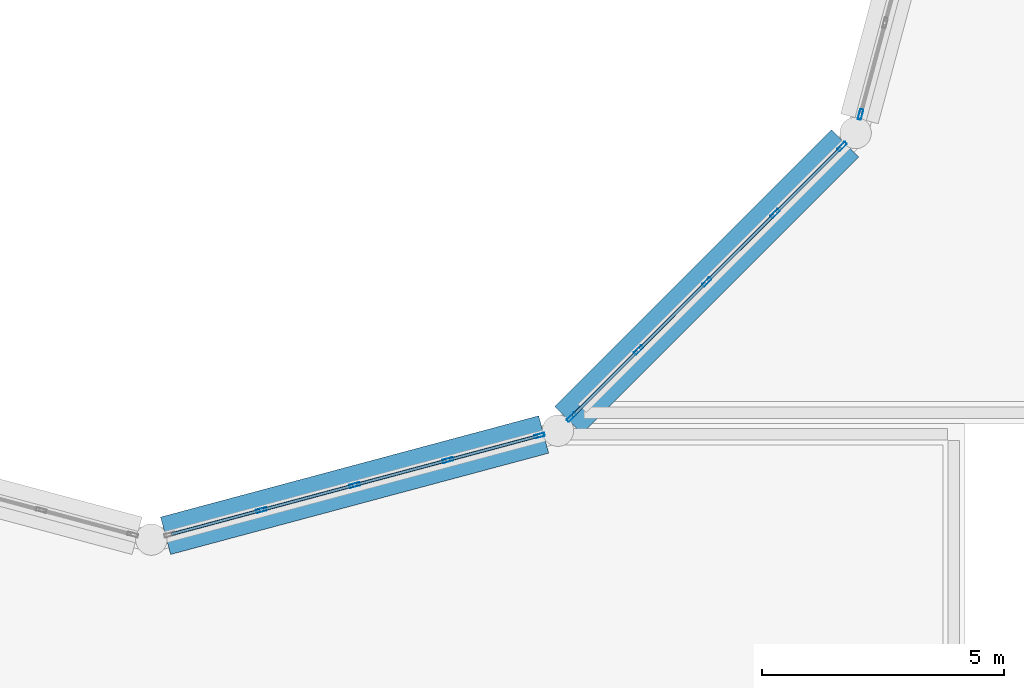
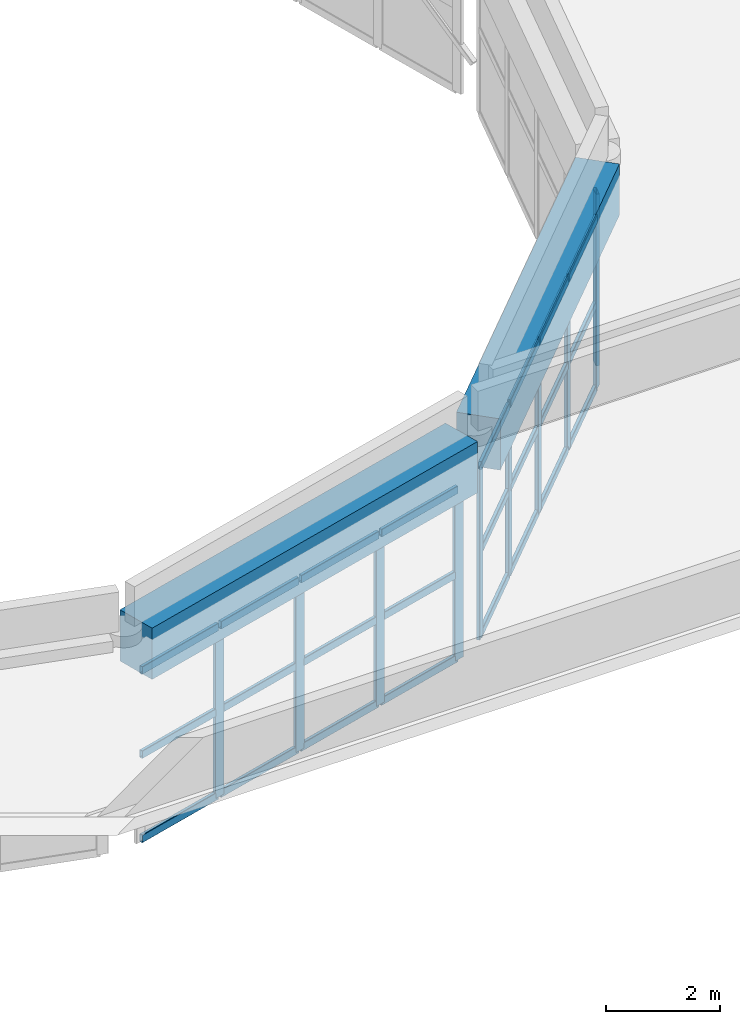
# One storey, part 19 of 48: 34 members, 2 beams, 3 elements without a shape of their own.
"""IFC4 building model written with IfcOpenShell, lengths in metres."""

from ifc_helpers import new_model, si_unit, derived_unit, direction, frame, origin, origin_2d, place, context, subcontext, project, spatial, rectangle, hollow_rectangle, extrude, material, material_profile, profile_set, type_object, element, aggregate, save


model = new_model("IFC4")

# Units and contexts
model_context = context("Model", 3, precision=1e-05, world=origin(), true_north=direction((0.0, 1.0)))
body_context = subcontext(model_context, "Body", "Model", "MODEL_VIEW")
ifc_project = project(units=[si_unit("LENGTHUNIT", "METRE"), si_unit("AREAUNIT", "SQUARE_METRE"), si_unit("VOLUMEUNIT", "CUBIC_METRE"), si_unit("PLANEANGLEUNIT", "RADIAN"), si_unit("MASSUNIT", "GRAM", prefix="KILO"), derived_unit("THERMALTRANSMITTANCEUNIT", [(si_unit("POWERUNIT", "WATT"), 1), (si_unit("LENGTHUNIT", "METRE"), -2), (si_unit("THERMODYNAMICTEMPERATUREUNIT", "KELVIN"), -1)])], contexts=[model_context])

# Site, building, storey
site_placement = place(None, origin())
site = spatial("IfcSite", under=ifc_project, at=site_placement, CompositionType="ELEMENT")
building_placement = place(site_placement, origin())
building = spatial("IfcBuilding", under=site, at=building_placement, Name="Veybourne Emporium", CompositionType="ELEMENT")
storey_placement = place(building_placement, frame((0.0, 0.0, 27.89990234375)))
storey = spatial("IfcBuildingStorey", under=building, at=storey_placement, Name="L06", CompositionType="ELEMENT", Elevation=27.89990234375)

# Curtain wall, members
ifc_material_1 = material(Name="Patinated Architectural Bronze", Category="bronze")
curtain_wall_type_1 = type_object("IfcCurtainWallType", Name="CWSystem_CWS-22", PredefinedType="NOTDEFINED", material=ifc_material_1)
curtain_wall_1_placement = place(storey_placement, origin())
curtain_wall_1 = element("IfcCurtainWall", 1, at=curtain_wall_1_placement, inside=storey, type_object=curtain_wall_type_1, Name="Atrium drum clerestory curtain wall 10", PredefinedType="NOTDEFINED")
ifc_material_profile_1 = material_profile(ifc_material_1, hollow_rectangle(XDim=0.070068359375, YDim=0.219970703125, WallThickness=0.0048828125, InnerFilletRadius=0.007568359375, OuterFilletRadius=0.012451171875, at=origin_2d()), Name="CWM 70x220x5")
ifc_profile_set_1 = profile_set([ifc_material_profile_1], Name="Patinated Architectural Bronze")
member_type_1 = type_object("IfcMemberType", Name="CWMullion_CW-M4", PredefinedType="MULLION", material=ifc_profile_set_1)
member_1_placement = place(storey_placement, frame((77.873779296875, 34.209228515625, -4.5), z_axis=(0.0, 0.0, 1.0), x_axis=(-0.258819598266, 0.965925678069, 0.0)))
member_1 = element("IfcMember", 2, at=member_1_placement, type_object=member_type_1, Name="CWS-22 mullion 2", PredefinedType="MULLION", context=body_context, shape_type="SweptSolid", body=[
    extrude(hollow_rectangle(XDim=0.070068359375, YDim=0.219970703125, WallThickness=0.0048828125, InnerFilletRadius=0.007568359375, OuterFilletRadius=0.012451171875, at=origin_2d()), origin(), (0.0, 0.0, 1.0), 3.68017578125),
])
member_2_placement = place(storey_placement, frame((79.800048828125, 34.725341796875, -4.5), z_axis=(0.0, 0.0, 1.0), x_axis=(-0.258819598266, 0.965925678069, 0.0)))
member_2 = element("IfcMember", 3, at=member_2_placement, type_object=member_type_1, Name="CWS-22 mullion 3", PredefinedType="MULLION", context=body_context, shape_type="SweptSolid", body=[
    extrude(hollow_rectangle(XDim=0.070068359375, YDim=0.219970703125, WallThickness=0.0048828125, InnerFilletRadius=0.007568359375, OuterFilletRadius=0.012451171875, at=origin_2d()), origin(), (0.0, 0.0, 1.0), 3.68017578125),
])
member_3_placement = place(storey_placement, frame((81.72607421875, 35.241455078125, -4.5), z_axis=(0.0, 0.0, 1.0), x_axis=(-0.258819598266, 0.965925678069, 0.0)))
member_3 = element("IfcMember", 4, at=member_3_placement, type_object=member_type_1, Name="CWS-22 mullion 4", PredefinedType="MULLION", context=body_context, shape_type="SweptSolid", body=[
    extrude(hollow_rectangle(XDim=0.070068359375, YDim=0.219970703125, WallThickness=0.0048828125, InnerFilletRadius=0.007568359375, OuterFilletRadius=0.012451171875, at=origin_2d()), origin(), (0.0, 0.0, 1.0), 3.68017578125),
])
member_4_placement = place(storey_placement, frame((83.618408203125, 35.74853515625, -4.5), z_axis=(0.0, 0.0, 1.0), x_axis=(-0.258819598266, 0.965925678069, 0.0)))
member_4 = element("IfcMember", 5, at=member_4_placement, type_object=member_type_1, Name="CWS-22 mullion 5", PredefinedType="MULLION", context=body_context, shape_type="SweptSolid", body=[
    extrude(hollow_rectangle(XDim=0.070068359375, YDim=0.219970703125, WallThickness=0.0048828125, InnerFilletRadius=0.007568359375, OuterFilletRadius=0.012451171875, at=origin_2d()), origin(), (0.0, 0.0, 1.0), 3.68017578125),
])

curtain_wall_type_2 = type_object("IfcCurtainWallType", Name="CWSystem_CWS-23", PredefinedType="NOTDEFINED", material=ifc_material_1)
curtain_wall_2_placement = place(storey_placement, origin())
curtain_wall_2 = element("IfcCurtainWall", 6, at=curtain_wall_2_placement, inside=storey, type_object=curtain_wall_type_2, Name="Atrium drum clerestory curtain wall 11", PredefinedType="NOTDEFINED")
member_5_placement = place(storey_placement, frame((84.279296875, 36.130126953125, -4.5), z_axis=(0.0, 0.0, 1.0), x_axis=(-0.707106781187, 0.707106781187, 0.0)))
member_5 = element("IfcMember", 7, at=member_5_placement, type_object=member_type_1, Name="CWS-23 mullion 1", PredefinedType="MULLION", context=body_context, shape_type="SweptSolid", body=[
    extrude(hollow_rectangle(XDim=0.070068359375, YDim=0.219970703125, WallThickness=0.0048828125, InnerFilletRadius=0.007568359375, OuterFilletRadius=0.012451171875, at=origin_2d()), origin(), (0.0, 0.0, 1.0), 3.68017578125),
])
member_6_placement = place(storey_placement, frame((85.66455078125, 37.515380859375, -4.5), z_axis=(0.0, 0.0, 1.0), x_axis=(-0.707106781187, 0.707106781187, 0.0)))
member_6 = element("IfcMember", 8, at=member_6_placement, type_object=member_type_1, Name="CWS-23 mullion 2", PredefinedType="MULLION", context=body_context, shape_type="SweptSolid", body=[
    extrude(hollow_rectangle(XDim=0.070068359375, YDim=0.219970703125, WallThickness=0.0048828125, InnerFilletRadius=0.007568359375, OuterFilletRadius=0.012451171875, at=origin_2d()), origin(), (0.0, 0.0, 1.0), 3.68017578125),
])
member_7_placement = place(storey_placement, frame((87.07470703125, 38.92529296875, -4.5), z_axis=(0.0, 0.0, 1.0), x_axis=(-0.707106781187, 0.707106781187, 0.0)))
member_7 = element("IfcMember", 9, at=member_7_placement, type_object=member_type_1, Name="CWS-23 mullion 3", PredefinedType="MULLION", context=body_context, shape_type="SweptSolid", body=[
    extrude(hollow_rectangle(XDim=0.070068359375, YDim=0.219970703125, WallThickness=0.0048828125, InnerFilletRadius=0.007568359375, OuterFilletRadius=0.012451171875, at=origin_2d()), origin(), (0.0, 0.0, 1.0), 3.68017578125),
])
member_8_placement = place(storey_placement, frame((88.484619140625, 40.33544921875, -4.5), z_axis=(0.0, 0.0, 1.0), x_axis=(-0.707106781187, 0.707106781187, 0.0)))
member_8 = element("IfcMember", 10, at=member_8_placement, type_object=member_type_1, Name="CWS-23 mullion 4", PredefinedType="MULLION", context=body_context, shape_type="SweptSolid", body=[
    extrude(hollow_rectangle(XDim=0.070068359375, YDim=0.219970703125, WallThickness=0.0048828125, InnerFilletRadius=0.007568359375, OuterFilletRadius=0.012451171875, at=origin_2d()), origin(), (0.0, 0.0, 1.0), 3.68017578125),
])
member_9_placement = place(storey_placement, frame((89.869873046875, 41.720703125, -4.5), z_axis=(0.0, 0.0, 1.0), x_axis=(-0.707106781187, 0.707106781187, 0.0)))
member_9 = element("IfcMember", 11, at=member_9_placement, type_object=member_type_1, Name="CWS-23 mullion 5", PredefinedType="MULLION", context=body_context, shape_type="SweptSolid", body=[
    extrude(hollow_rectangle(XDim=0.070068359375, YDim=0.219970703125, WallThickness=0.0048828125, InnerFilletRadius=0.007568359375, OuterFilletRadius=0.012451171875, at=origin_2d()), origin(), (0.0, 0.0, 1.0), 3.68017578125),
])

# Curtain wall, member
curtain_wall_type_3 = type_object("IfcCurtainWallType", Name="CWSystem_CWS-24", PredefinedType="NOTDEFINED", material=ifc_material_1)
curtain_wall_3_placement = place(storey_placement, origin())
curtain_wall_3 = element("IfcCurtainWall", 12, at=curtain_wall_3_placement, inside=storey, type_object=curtain_wall_type_3, Name="Atrium drum clerestory curtain wall 12", PredefinedType="NOTDEFINED")
member_10_placement = place(storey_placement, frame((90.25146484375, 42.381591796875, -4.5), z_axis=(0.0, 0.0, 1.0), x_axis=(-0.965925678069, 0.258819598266, 0.0)))
member_10 = element("IfcMember", 13, at=member_10_placement, type_object=member_type_1, Name="CWS-24 mullion 1", PredefinedType="MULLION", context=body_context, shape_type="SweptSolid", body=[
    extrude(hollow_rectangle(XDim=0.070068359375, YDim=0.219970703125, WallThickness=0.0048828125, InnerFilletRadius=0.007568359375, OuterFilletRadius=0.012451171875, at=origin_2d()), origin(), (0.0, 0.0, 1.0), 3.68017578125),
])
aggregate(curtain_wall_3, [member_10])

# Member
ifc_material_profile_2 = material_profile(ifc_material_1, hollow_rectangle(XDim=0.070068359375, YDim=0.169921875, WallThickness=0.0048828125, InnerFilletRadius=0.007568359375, OuterFilletRadius=0.012451171875, at=origin_2d()), Name="CWT 70x170x5")
ifc_profile_set_2 = profile_set([ifc_material_profile_2], Name="Patinated Architectural Bronze")
member_type_2 = type_object("IfcMemberType", Name="CWTransom_CW-T4", PredefinedType="NOTDEFINED", material=ifc_profile_set_2)
member_11_placement = place(storey_placement, frame((76.015380859375, 33.711181640625, -4.46484375), z_axis=(0.965914590329, 0.258860974636, 0.0), x_axis=(-0.258860974636, 0.965914590329, 0.0)))
member_11 = element("IfcMember", 14, at=member_11_placement, type_object=member_type_2, Name="CWS-22 transom 1.1", ObjectType="TRANSOM", PredefinedType="USERDEFINED", context=body_context, shape_type="SweptSolid", body=[
    extrude(hollow_rectangle(XDim=0.070068359375, YDim=0.169921875, WallThickness=0.0048828125, InnerFilletRadius=0.007568359375, OuterFilletRadius=0.012451171875, at=origin_2d()), origin(), (0.0, 0.0, 1.0), 1.88916015625),
])

member_12_placement = place(storey_placement, frame((76.015380859375, 33.711181640625, -2.659912109375), z_axis=(0.965914590329, 0.258860974636, 0.0), x_axis=(-0.258860974636, 0.965914590329, 0.0)))
member_12 = element("IfcMember", 15, at=member_12_placement, type_object=member_type_2, Name="CWS-22 transom 1.2", ObjectType="TRANSOM", PredefinedType="USERDEFINED", context=body_context, shape_type="SweptSolid", body=[
    extrude(hollow_rectangle(XDim=0.070068359375, YDim=0.169921875, WallThickness=0.0048828125, InnerFilletRadius=0.007568359375, OuterFilletRadius=0.012451171875, at=origin_2d()), origin(), (0.0, 0.0, 1.0), 1.88916015625),
])

member_13_placement = place(storey_placement, frame((76.015380859375, 33.711181640625, -0.85498046875), z_axis=(0.965914590329, 0.258860974636, 0.0), x_axis=(-0.258860974636, 0.965914590329, 0.0)))
member_13 = element("IfcMember", 16, at=member_13_placement, type_object=member_type_2, Name="CWS-22 transom 1.3", ObjectType="TRANSOM", PredefinedType="USERDEFINED", context=body_context, shape_type="SweptSolid", body=[
    extrude(hollow_rectangle(XDim=0.070068359375, YDim=0.169921875, WallThickness=0.0048828125, InnerFilletRadius=0.007568359375, OuterFilletRadius=0.012451171875, at=origin_2d()), origin(), (0.0, 0.0, 1.0), 1.88916015625),
])

member_14_placement = place(storey_placement, frame((77.90771484375, 34.21826171875, -4.46484375), z_axis=(0.96591406393, 0.258862938836, 0.0), x_axis=(-0.258862938836, 0.96591406393, 0.0)))
member_14 = element("IfcMember", 17, at=member_14_placement, type_object=member_type_2, Name="CWS-22 transom 2.1", ObjectType="TRANSOM", PredefinedType="USERDEFINED", context=body_context, shape_type="SweptSolid", body=[
    extrude(hollow_rectangle(XDim=0.070068359375, YDim=0.169921875, WallThickness=0.0048828125, InnerFilletRadius=0.007568359375, OuterFilletRadius=0.012451171875, at=origin_2d()), origin(), (0.0, 0.0, 1.0), 1.924072265625),
])

member_15_placement = place(storey_placement, frame((77.90771484375, 34.21826171875, -2.659912109375), z_axis=(0.96591406393, 0.258862938836, 0.0), x_axis=(-0.258862938836, 0.96591406393, 0.0)))
member_15 = element("IfcMember", 18, at=member_15_placement, type_object=member_type_2, Name="CWS-22 transom 2.2", ObjectType="TRANSOM", PredefinedType="USERDEFINED", context=body_context, shape_type="SweptSolid", body=[
    extrude(hollow_rectangle(XDim=0.070068359375, YDim=0.169921875, WallThickness=0.0048828125, InnerFilletRadius=0.007568359375, OuterFilletRadius=0.012451171875, at=origin_2d()), origin(), (0.0, 0.0, 1.0), 1.924072265625),
])

member_16_placement = place(storey_placement, frame((77.90771484375, 34.21826171875, -0.85498046875), z_axis=(0.96591406393, 0.258862938836, 0.0), x_axis=(-0.258862938836, 0.96591406393, 0.0)))
member_16 = element("IfcMember", 19, at=member_16_placement, type_object=member_type_2, Name="CWS-22 transom 2.3", ObjectType="TRANSOM", PredefinedType="USERDEFINED", context=body_context, shape_type="SweptSolid", body=[
    extrude(hollow_rectangle(XDim=0.070068359375, YDim=0.169921875, WallThickness=0.0048828125, InnerFilletRadius=0.007568359375, OuterFilletRadius=0.012451171875, at=origin_2d()), origin(), (0.0, 0.0, 1.0), 1.924072265625),
])

member_17_placement = place(storey_placement, frame((79.833740234375, 34.734375, -4.46484375), z_axis=(0.965922565509, 0.258831214191, 0.0), x_axis=(-0.258831214191, 0.965922565509, 0.0)))
member_17 = element("IfcMember", 20, at=member_17_placement, type_object=member_type_2, Name="CWS-22 transom 3.1", ObjectType="TRANSOM", PredefinedType="USERDEFINED", context=body_context, shape_type="SweptSolid", body=[
    extrude(hollow_rectangle(XDim=0.070068359375, YDim=0.169921875, WallThickness=0.0048828125, InnerFilletRadius=0.007568359375, OuterFilletRadius=0.012451171875, at=origin_2d()), origin(), (0.0, 0.0, 1.0), 1.92431640625),
])

member_18_placement = place(storey_placement, frame((79.833740234375, 34.734375, -2.659912109375), z_axis=(0.965922565509, 0.258831214191, 0.0), x_axis=(-0.258831214191, 0.965922565509, 0.0)))
member_18 = element("IfcMember", 21, at=member_18_placement, type_object=member_type_2, Name="CWS-22 transom 3.2", ObjectType="TRANSOM", PredefinedType="USERDEFINED", context=body_context, shape_type="SweptSolid", body=[
    extrude(hollow_rectangle(XDim=0.070068359375, YDim=0.169921875, WallThickness=0.0048828125, InnerFilletRadius=0.007568359375, OuterFilletRadius=0.012451171875, at=origin_2d()), origin(), (0.0, 0.0, 1.0), 1.92431640625),
])

member_19_placement = place(storey_placement, frame((79.833740234375, 34.734375, -0.85498046875), z_axis=(0.965922565509, 0.258831214191, 0.0), x_axis=(-0.258831214191, 0.965922565509, 0.0)))
member_19 = element("IfcMember", 22, at=member_19_placement, type_object=member_type_2, Name="CWS-22 transom 3.3", ObjectType="TRANSOM", PredefinedType="USERDEFINED", context=body_context, shape_type="SweptSolid", body=[
    extrude(hollow_rectangle(XDim=0.070068359375, YDim=0.169921875, WallThickness=0.0048828125, InnerFilletRadius=0.007568359375, OuterFilletRadius=0.012451171875, at=origin_2d()), origin(), (0.0, 0.0, 1.0), 1.92431640625),
])

member_20_placement = place(storey_placement, frame((81.760009765625, 35.25048828125, -4.46484375), z_axis=(0.965914590329, 0.258860974636, 0.0), x_axis=(-0.258860974636, 0.965914590329, 0.0)))
member_20 = element("IfcMember", 23, at=member_20_placement, type_object=member_type_2, Name="CWS-22 transom 4.1", ObjectType="TRANSOM", PredefinedType="USERDEFINED", context=body_context, shape_type="SweptSolid", body=[
    extrude(hollow_rectangle(XDim=0.070068359375, YDim=0.169921875, WallThickness=0.0048828125, InnerFilletRadius=0.007568359375, OuterFilletRadius=0.012451171875, at=origin_2d()), origin(), (0.0, 0.0, 1.0), 1.88916015625),
])

member_21_placement = place(storey_placement, frame((81.760009765625, 35.25048828125, -2.659912109375), z_axis=(0.965914590329, 0.258860974636, 0.0), x_axis=(-0.258860974636, 0.965914590329, 0.0)))
member_21 = element("IfcMember", 24, at=member_21_placement, type_object=member_type_2, Name="CWS-22 transom 4.2", ObjectType="TRANSOM", PredefinedType="USERDEFINED", context=body_context, shape_type="SweptSolid", body=[
    extrude(hollow_rectangle(XDim=0.070068359375, YDim=0.169921875, WallThickness=0.0048828125, InnerFilletRadius=0.007568359375, OuterFilletRadius=0.012451171875, at=origin_2d()), origin(), (0.0, 0.0, 1.0), 1.88916015625),
])

member_22_placement = place(storey_placement, frame((81.760009765625, 35.25048828125, -0.85498046875), z_axis=(0.965914590329, 0.258860974636, 0.0), x_axis=(-0.258860974636, 0.965914590329, 0.0)))
member_22 = element("IfcMember", 25, at=member_22_placement, type_object=member_type_2, Name="CWS-22 transom 4.3", ObjectType="TRANSOM", PredefinedType="USERDEFINED", context=body_context, shape_type="SweptSolid", body=[
    extrude(hollow_rectangle(XDim=0.070068359375, YDim=0.169921875, WallThickness=0.0048828125, InnerFilletRadius=0.007568359375, OuterFilletRadius=0.012451171875, at=origin_2d()), origin(), (0.0, 0.0, 1.0), 1.88916015625),
])

aggregate(curtain_wall_1, [member_1, member_2, member_3, member_4, member_11, member_12, member_13, member_14, member_15, member_16, member_17, member_18, member_19, member_20, member_21, member_22])

member_23_placement = place(storey_placement, frame((84.303955078125, 36.15478515625, -4.46484375), z_axis=(0.707106781187, 0.707106781187, 0.0), x_axis=(-0.707106781187, 0.707106781187, 0.0)))
member_23 = element("IfcMember", 26, at=member_23_placement, type_object=member_type_2, Name="CWS-23 transom 1.1", ObjectType="TRANSOM", PredefinedType="USERDEFINED", context=body_context, shape_type="SweptSolid", body=[
    extrude(hollow_rectangle(XDim=0.070068359375, YDim=0.169921875, WallThickness=0.0048828125, InnerFilletRadius=0.007568359375, OuterFilletRadius=0.012451171875, at=origin_2d()), origin(), (0.0, 0.0, 1.0), 1.889404296875),
])

member_24_placement = place(storey_placement, frame((84.303955078125, 36.15478515625, -2.659912109375), z_axis=(0.707106781187, 0.707106781187, 0.0), x_axis=(-0.707106781187, 0.707106781187, 0.0)))
member_24 = element("IfcMember", 27, at=member_24_placement, type_object=member_type_2, Name="CWS-23 transom 1.2", ObjectType="TRANSOM", PredefinedType="USERDEFINED", context=body_context, shape_type="SweptSolid", body=[
    extrude(hollow_rectangle(XDim=0.070068359375, YDim=0.169921875, WallThickness=0.0048828125, InnerFilletRadius=0.007568359375, OuterFilletRadius=0.012451171875, at=origin_2d()), origin(), (0.0, 0.0, 1.0), 1.889404296875),
])

member_25_placement = place(storey_placement, frame((84.303955078125, 36.15478515625, -0.85498046875), z_axis=(0.707106781187, 0.707106781187, 0.0), x_axis=(-0.707106781187, 0.707106781187, 0.0)))
member_25 = element("IfcMember", 28, at=member_25_placement, type_object=member_type_2, Name="CWS-23 transom 1.3", ObjectType="TRANSOM", PredefinedType="USERDEFINED", context=body_context, shape_type="SweptSolid", body=[
    extrude(hollow_rectangle(XDim=0.070068359375, YDim=0.169921875, WallThickness=0.0048828125, InnerFilletRadius=0.007568359375, OuterFilletRadius=0.012451171875, at=origin_2d()), origin(), (0.0, 0.0, 1.0), 1.889404296875),
])

member_26_placement = place(storey_placement, frame((85.689453125, 37.5400390625, -4.46484375), z_axis=(0.707043332241, 0.70717022444, 0.0), x_axis=(-0.70717022444, 0.707043332241, 0.0)))
member_26 = element("IfcMember", 29, at=member_26_placement, type_object=member_type_2, Name="CWS-23 transom 2.1", ObjectType="TRANSOM", PredefinedType="USERDEFINED", context=body_context, shape_type="SweptSolid", body=[
    extrude(hollow_rectangle(XDim=0.070068359375, YDim=0.169921875, WallThickness=0.0048828125, InnerFilletRadius=0.007568359375, OuterFilletRadius=0.012451171875, at=origin_2d()), origin(), (0.0, 0.0, 1.0), 1.924072265625),
])

member_27_placement = place(storey_placement, frame((85.689453125, 37.5400390625, -2.659912109375), z_axis=(0.707043332241, 0.70717022444, 0.0), x_axis=(-0.70717022444, 0.707043332241, 0.0)))
member_27 = element("IfcMember", 30, at=member_27_placement, type_object=member_type_2, Name="CWS-23 transom 2.2", ObjectType="TRANSOM", PredefinedType="USERDEFINED", context=body_context, shape_type="SweptSolid", body=[
    extrude(hollow_rectangle(XDim=0.070068359375, YDim=0.169921875, WallThickness=0.0048828125, InnerFilletRadius=0.007568359375, OuterFilletRadius=0.012451171875, at=origin_2d()), origin(), (0.0, 0.0, 1.0), 1.924072265625),
])

member_28_placement = place(storey_placement, frame((85.689453125, 37.5400390625, -0.85498046875), z_axis=(0.707043332241, 0.70717022444, 0.0), x_axis=(-0.70717022444, 0.707043332241, 0.0)))
member_28 = element("IfcMember", 31, at=member_28_placement, type_object=member_type_2, Name="CWS-23 transom 2.3", ObjectType="TRANSOM", PredefinedType="USERDEFINED", context=body_context, shape_type="SweptSolid", body=[
    extrude(hollow_rectangle(XDim=0.070068359375, YDim=0.169921875, WallThickness=0.0048828125, InnerFilletRadius=0.007568359375, OuterFilletRadius=0.012451171875, at=origin_2d()), origin(), (0.0, 0.0, 1.0), 1.924072265625),
])

member_29_placement = place(storey_placement, frame((87.099365234375, 38.9501953125, -4.46484375), z_axis=(0.70717022444, 0.707043332241, 0.0), x_axis=(-0.707043332241, 0.70717022444, 0.0)))
member_29 = element("IfcMember", 32, at=member_29_placement, type_object=member_type_2, Name="CWS-23 transom 3.1", ObjectType="TRANSOM", PredefinedType="USERDEFINED", context=body_context, shape_type="SweptSolid", body=[
    extrude(hollow_rectangle(XDim=0.070068359375, YDim=0.169921875, WallThickness=0.0048828125, InnerFilletRadius=0.007568359375, OuterFilletRadius=0.012451171875, at=origin_2d()), origin(), (0.0, 0.0, 1.0), 1.924072265625),
])

member_30_placement = place(storey_placement, frame((87.099365234375, 38.9501953125, -2.659912109375), z_axis=(0.70717022444, 0.707043332241, 0.0), x_axis=(-0.707043332241, 0.70717022444, 0.0)))
member_30 = element("IfcMember", 33, at=member_30_placement, type_object=member_type_2, Name="CWS-23 transom 3.2", ObjectType="TRANSOM", PredefinedType="USERDEFINED", context=body_context, shape_type="SweptSolid", body=[
    extrude(hollow_rectangle(XDim=0.070068359375, YDim=0.169921875, WallThickness=0.0048828125, InnerFilletRadius=0.007568359375, OuterFilletRadius=0.012451171875, at=origin_2d()), origin(), (0.0, 0.0, 1.0), 1.924072265625),
])

member_31_placement = place(storey_placement, frame((87.099365234375, 38.9501953125, -0.85498046875), z_axis=(0.70717022444, 0.707043332241, 0.0), x_axis=(-0.707043332241, 0.70717022444, 0.0)))
member_31 = element("IfcMember", 34, at=member_31_placement, type_object=member_type_2, Name="CWS-23 transom 3.3", ObjectType="TRANSOM", PredefinedType="USERDEFINED", context=body_context, shape_type="SweptSolid", body=[
    extrude(hollow_rectangle(XDim=0.070068359375, YDim=0.169921875, WallThickness=0.0048828125, InnerFilletRadius=0.007568359375, OuterFilletRadius=0.012451171875, at=origin_2d()), origin(), (0.0, 0.0, 1.0), 1.924072265625),
])

member_32_placement = place(storey_placement, frame((88.50927734375, 40.360107421875, -4.46484375), z_axis=(0.707106781187, 0.707106781187, 0.0), x_axis=(-0.707106781187, 0.707106781187, 0.0)))
member_32 = element("IfcMember", 35, at=member_32_placement, type_object=member_type_2, Name="CWS-23 transom 4.1", ObjectType="TRANSOM", PredefinedType="USERDEFINED", context=body_context, shape_type="SweptSolid", body=[
    extrude(hollow_rectangle(XDim=0.070068359375, YDim=0.169921875, WallThickness=0.0048828125, InnerFilletRadius=0.007568359375, OuterFilletRadius=0.012451171875, at=origin_2d()), origin(), (0.0, 0.0, 1.0), 1.889404296875),
])

member_33_placement = place(storey_placement, frame((88.50927734375, 40.360107421875, -2.659912109375), z_axis=(0.707106781187, 0.707106781187, 0.0), x_axis=(-0.707106781187, 0.707106781187, 0.0)))
member_33 = element("IfcMember", 36, at=member_33_placement, type_object=member_type_2, Name="CWS-23 transom 4.2", ObjectType="TRANSOM", PredefinedType="USERDEFINED", context=body_context, shape_type="SweptSolid", body=[
    extrude(hollow_rectangle(XDim=0.070068359375, YDim=0.169921875, WallThickness=0.0048828125, InnerFilletRadius=0.007568359375, OuterFilletRadius=0.012451171875, at=origin_2d()), origin(), (0.0, 0.0, 1.0), 1.889404296875),
])

member_34_placement = place(storey_placement, frame((88.50927734375, 40.360107421875, -0.85498046875), z_axis=(0.707106781187, 0.707106781187, 0.0), x_axis=(-0.707106781187, 0.707106781187, 0.0)))
member_34 = element("IfcMember", 37, at=member_34_placement, type_object=member_type_2, Name="CWS-23 transom 4.3", ObjectType="TRANSOM", PredefinedType="USERDEFINED", context=body_context, shape_type="SweptSolid", body=[
    extrude(hollow_rectangle(XDim=0.070068359375, YDim=0.169921875, WallThickness=0.0048828125, InnerFilletRadius=0.007568359375, OuterFilletRadius=0.012451171875, at=origin_2d()), origin(), (0.0, 0.0, 1.0), 1.889404296875),
])

aggregate(curtain_wall_2, [member_5, member_6, member_7, member_8, member_9, member_23, member_24, member_25, member_26, member_27, member_28, member_29, member_30, member_31, member_32, member_33, member_34])

# Beams
ifc_material_2 = material(Name="Concrete C40/50", Category="concrete")
ifc_material_profile_3 = material_profile(ifc_material_2, rectangle(XDim=0.800048828125, YDim=1.10009765625, at=origin_2d()), Name="RC 800x1100")
ifc_profile_set_3 = profile_set([ifc_material_profile_3], Name="Concrete C40/50")
beam_type = type_object("IfcBeamType", Name="RCBeam_RB-01", PredefinedType="BEAM", material=ifc_profile_set_3)
beam_1_placement = place(storey_placement, frame((75.89453125, 33.678955078125, -0.25), z_axis=(0.965929588955, 0.258805002235, 0.0), x_axis=(-0.258805002235, 0.965929588955, 0.0)))
element("IfcBeam", 38, at=beam_1_placement, inside=storey, type_object=beam_type, Name="Atrium ring beam RB-01 L06-10", PredefinedType="BEAM", context=body_context, shape_type="SweptSolid", body=[
    extrude(rectangle(XDim=0.800048828125, YDim=1.10009765625, at=origin_2d()), origin(), (0.0, 0.0, 1.0), 8.086181640625),
])
beam_2_placement = place(storey_placement, frame((84.215576171875, 36.06640625, -0.25), z_axis=(0.707106781187, 0.707106781187, 0.0), x_axis=(-0.707106781187, 0.707106781187, 0.0)))
element("IfcBeam", 39, at=beam_2_placement, inside=storey, type_object=beam_type, Name="Atrium ring beam RB-01 L06-11", PredefinedType="BEAM", context=body_context, shape_type="SweptSolid", body=[
    extrude(rectangle(XDim=0.800048828125, YDim=1.10009765625, at=origin_2d()), origin(), (0.0, 0.0, 1.0), 8.08642578125),
])

save(model, "model.ifc")
